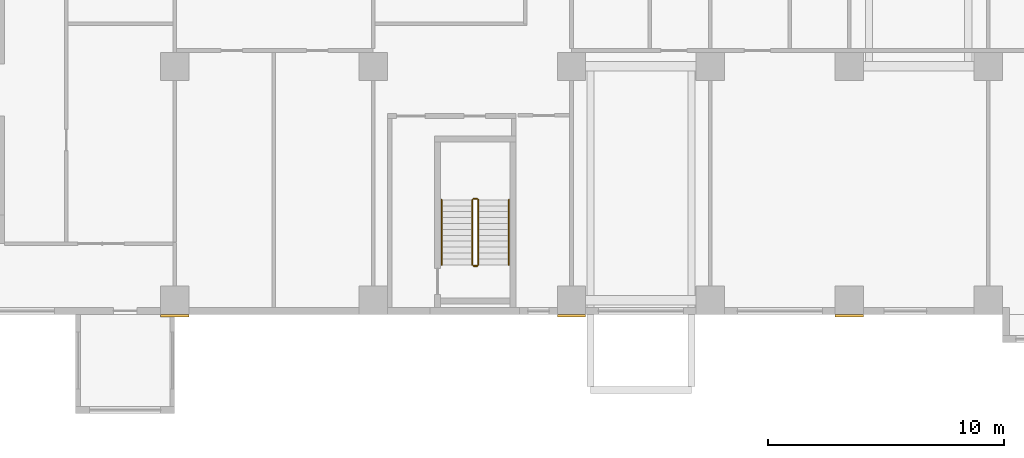
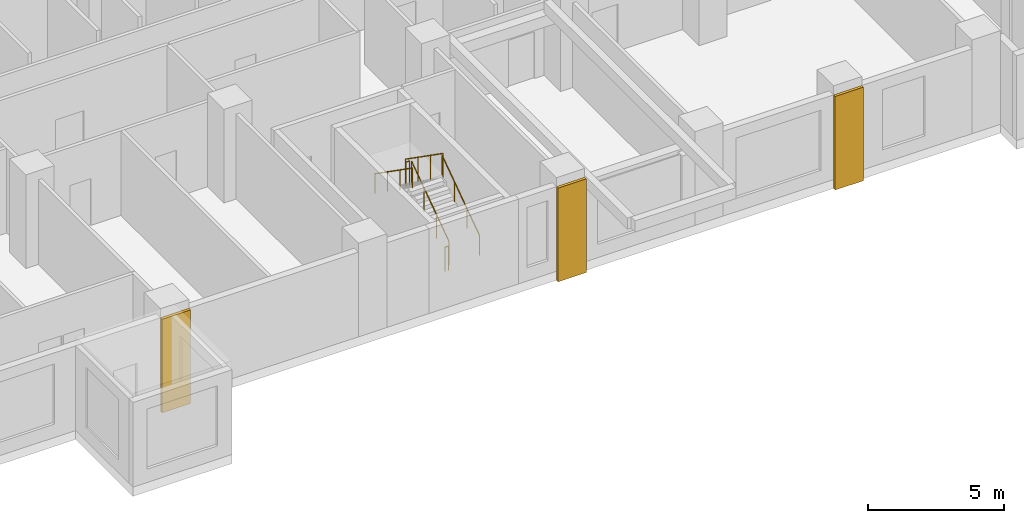
# One storey, part 14 of 17: 6 railings, 3 coverings.
"""IFC4 building model written with IfcOpenShell, lengths in metres."""

from ifc_helpers import new_model, si_unit, direction, frame, origin, origin_2d, place, context, subcontext, project, spatial, rectangle, circle, extrude, source, transform, mapped, material, type_object, element, save


model = new_model("IFC4")

# Units and contexts
model_context = context("Model", 3, precision=1e-05, world=origin(), true_north=direction((0.0, 1.0)))
body_context = subcontext(model_context, "Body", "Model", "MODEL_VIEW")
ifc_project = project(units=[si_unit("LENGTHUNIT", "METRE"), si_unit("AREAUNIT", "SQUARE_METRE"), si_unit("VOLUMEUNIT", "CUBIC_METRE"), si_unit("PLANEANGLEUNIT", "RADIAN"), si_unit("MASSUNIT", "GRAM", prefix="KILO")], contexts=[model_context])

# Site, building, storey
site_placement = place(None, origin())
site = spatial("IfcSite", under=ifc_project, at=site_placement, CompositionType="ELEMENT")
building_placement = place(site_placement, origin())
building = spatial("IfcBuilding", under=site, at=building_placement, Name="Aurelian Terraces", CompositionType="ELEMENT")
storey_placement = place(building_placement, frame((0.0, 0.0, 69.9)))
storey = spatial("IfcBuildingStorey", under=building, at=storey_placement, Name="L14", CompositionType="ELEMENT", Elevation=69.9)

# Coverings
ifc_material_1 = material(Name="Terracotta rainscreen cladding relief", Category="masonry")
covering_type = type_object("IfcCoveringType", Name="BAGUETTE-TC", PredefinedType="CLADDING", material=ifc_material_1)
shared_shape_1 = source(origin(), body_context, "Body", "SweptSolid", [
    extrude(rectangle(XDim=1.2, YDim=0.12, at=origin_2d()), origin(), (0.0, 0.0, 1.0), 4.2),
])
for number, where, z_axis, x_axis, name in (
    (1, (29.4, -0.06, -0.4), (0.0, 0.0, 1.0), (1.0, 0.0, 0.0), "BAGUETTE pier L14 2"),
    (2, (46.2, -0.06, -0.4), (0.0, 0.0, 1.0), (1.0, 0.0, 0.0), "BAGUETTE pier L14 3"),
    (3, (57.96, -0.06, -0.4), (0.0, 0.0, 1.0), (1.0, 0.0, 0.0), "BAGUETTE pier L14 4"),
):
    element("IfcCovering", number, at=place(storey_placement, frame(where, z_axis=z_axis, x_axis=x_axis)), inside=storey, type_object=covering_type, Name=name, PredefinedType="CLADDING", context=body_context, shape_type="MappedRepresentation", body=[
        mapped(shared_shape_1, transform((0.0, 0.0, 0.0), scale=1.0)),
    ])

# Railings
ifc_material_2 = material(Name="Stainless steel", Category="steel")
railing_type_1 = type_object("IfcRailingType", Name="Stair guard 1100", PredefinedType="GUARDRAIL", material=ifc_material_2)
shared_shape_2 = source(origin(), body_context, "Body", "SweptSolid", [
    extrude(circle(Radius=0.024, at=origin_2d()), frame((0.0, 0.0, 1.076), z_axis=(-1.0, 0.0, 0.0), x_axis=(0.0, -1.0, 0.0)), (0.0, 0.0, 1.0), 0.15),
    extrude(circle(Radius=0.021, at=origin_2d()), origin(), (0.0, 0.0, 1.0), 1.052),
    extrude(circle(Radius=0.021, at=origin_2d()), frame((-0.15, 0.0, 0.0)), (0.0, 0.0, 1.0), 1.052),
])
for number, where, name in (
    (4, (42.2, 4.9, 2.1), "L14 S2 stair guard 2"),
    (5, (42.2, 2.05, 0.0), "L14 S2 stair guard 4"),
):
    element("IfcRailing", number, at=place(storey_placement, frame(where)), inside=storey, type_object=railing_type_1, Name=name, PredefinedType="GUARDRAIL", context=body_context, shape_type="MappedRepresentation", body=[
        mapped(shared_shape_2, transform((0.0, 0.0, 0.0), scale=1.0)),
    ])
shared_shape_3 = source(origin(), body_context, "Body", "SweptSolid", [
    extrude(circle(Radius=0.024, at=origin_2d()), frame((0.0, 0.0, 1.076), z_axis=(0.0, 0.819231920519, 0.573462344363), x_axis=(-1.0, 0.0, 0.0)), (0.0, 0.0, 1.0), 3.3568),
    extrude(circle(Radius=0.021, at=origin_2d()), origin(), (0.0, 0.0, 1.0), 1.052),
    extrude(circle(Radius=0.021, at=origin_2d()), frame((0.0, 0.9167, 0.6417)), (0.0, 0.0, 1.0), 1.052),
    extrude(circle(Radius=0.021, at=origin_2d()), frame((0.0, 1.8333, 1.2833)), (0.0, 0.0, 1.0), 1.052),
    extrude(circle(Radius=0.021, at=origin_2d()), frame((0.0, 2.75, 1.925)), (0.0, 0.0, 1.0), 1.052),
])
railing_1_placement = place(storey_placement, frame((42.25, 2.1, 0.175)))
element("IfcRailing", 6, at=railing_1_placement, inside=storey, type_object=railing_type_1, Name="L14 S2 stair guard 1", PredefinedType="GUARDRAIL", context=body_context, shape_type="MappedRepresentation", body=[
    mapped(shared_shape_3, transform((0.0, 0.0, 0.0), scale=1.0)),
])
shared_shape_4 = source(origin(), body_context, "Body", "SweptSolid", [
    extrude(circle(Radius=0.024, at=origin_2d()), frame((0.0, 0.0, 1.076), z_axis=(0.0, -0.819231920519, 0.573462344363), x_axis=(1.0, 0.0, 0.0)), (0.0, 0.0, 1.0), 3.3568),
    extrude(circle(Radius=0.021, at=origin_2d()), origin(), (0.0, 0.0, 1.0), 1.052),
    extrude(circle(Radius=0.021, at=origin_2d()), frame((0.0, -0.9167, 0.6417)), (0.0, 0.0, 1.0), 1.052),
    extrude(circle(Radius=0.021, at=origin_2d()), frame((0.0, -1.8333, 1.2833)), (0.0, 0.0, 1.0), 1.052),
    extrude(circle(Radius=0.021, at=origin_2d()), frame((0.0, -2.75, 1.925)), (0.0, 0.0, 1.0), 1.052),
])
railing_2_placement = place(storey_placement, frame((42.0, 4.85, 2.275)))
element("IfcRailing", 7, at=railing_2_placement, inside=storey, type_object=railing_type_1, Name="L14 S2 stair guard 3", PredefinedType="GUARDRAIL", context=body_context, shape_type="MappedRepresentation", body=[
    mapped(shared_shape_4, transform((0.0, 0.0, 0.0), scale=1.0)),
])
railing_type_2 = type_object("IfcRailingType", Name="Stair handrail", PredefinedType="HANDRAIL", material=ifc_material_2)
shared_shape_5 = source(origin(), body_context, "Body", "SweptSolid", [
    extrude(circle(Radius=0.024, at=origin_2d()), frame((0.0, 0.0, 0.876), z_axis=(0.0, 0.819231920519, 0.573462344363), x_axis=(-1.0, 0.0, 0.0)), (0.0, 0.0, 1.0), 3.3568),
    extrude(circle(Radius=0.021, at=origin_2d()), origin(), (0.0, 0.0, 1.0), 0.852),
    extrude(circle(Radius=0.021, at=origin_2d()), frame((0.0, 0.9167, 0.6417)), (0.0, 0.0, 1.0), 0.852),
    extrude(circle(Radius=0.021, at=origin_2d()), frame((0.0, 1.8333, 1.2833)), (0.0, 0.0, 1.0), 0.852),
    extrude(circle(Radius=0.021, at=origin_2d()), frame((0.0, 2.75, 1.925)), (0.0, 0.0, 1.0), 0.852),
])
railing_3_placement = place(storey_placement, frame((43.55, 2.1, 0.175)))
element("IfcRailing", 8, at=railing_3_placement, inside=storey, type_object=railing_type_2, Name="L14 S2 stair handrail 1", PredefinedType="HANDRAIL", context=body_context, shape_type="MappedRepresentation", body=[
    mapped(shared_shape_5, transform((0.0, 0.0, 0.0), scale=1.0)),
])
shared_shape_6 = source(origin(), body_context, "Body", "SweptSolid", [
    extrude(circle(Radius=0.024, at=origin_2d()), frame((0.0, 0.0, 0.876), z_axis=(0.0, -0.819231920519, 0.573462344363), x_axis=(1.0, 0.0, 0.0)), (0.0, 0.0, 1.0), 3.3568),
    extrude(circle(Radius=0.021, at=origin_2d()), origin(), (0.0, 0.0, 1.0), 0.852),
    extrude(circle(Radius=0.021, at=origin_2d()), frame((0.0, -0.9167, 0.6417)), (0.0, 0.0, 1.0), 0.852),
    extrude(circle(Radius=0.021, at=origin_2d()), frame((0.0, -1.8333, 1.2833)), (0.0, 0.0, 1.0), 0.852),
    extrude(circle(Radius=0.021, at=origin_2d()), frame((0.0, -2.75, 1.925)), (0.0, 0.0, 1.0), 0.852),
])
railing_4_placement = place(storey_placement, frame((40.7, 4.85, 2.275)))
element("IfcRailing", 9, at=railing_4_placement, inside=storey, type_object=railing_type_2, Name="L14 S2 stair handrail 2", PredefinedType="HANDRAIL", context=body_context, shape_type="MappedRepresentation", body=[
    mapped(shared_shape_6, transform((0.0, 0.0, 0.0), scale=1.0)),
])

save(model, "model.ifc")
